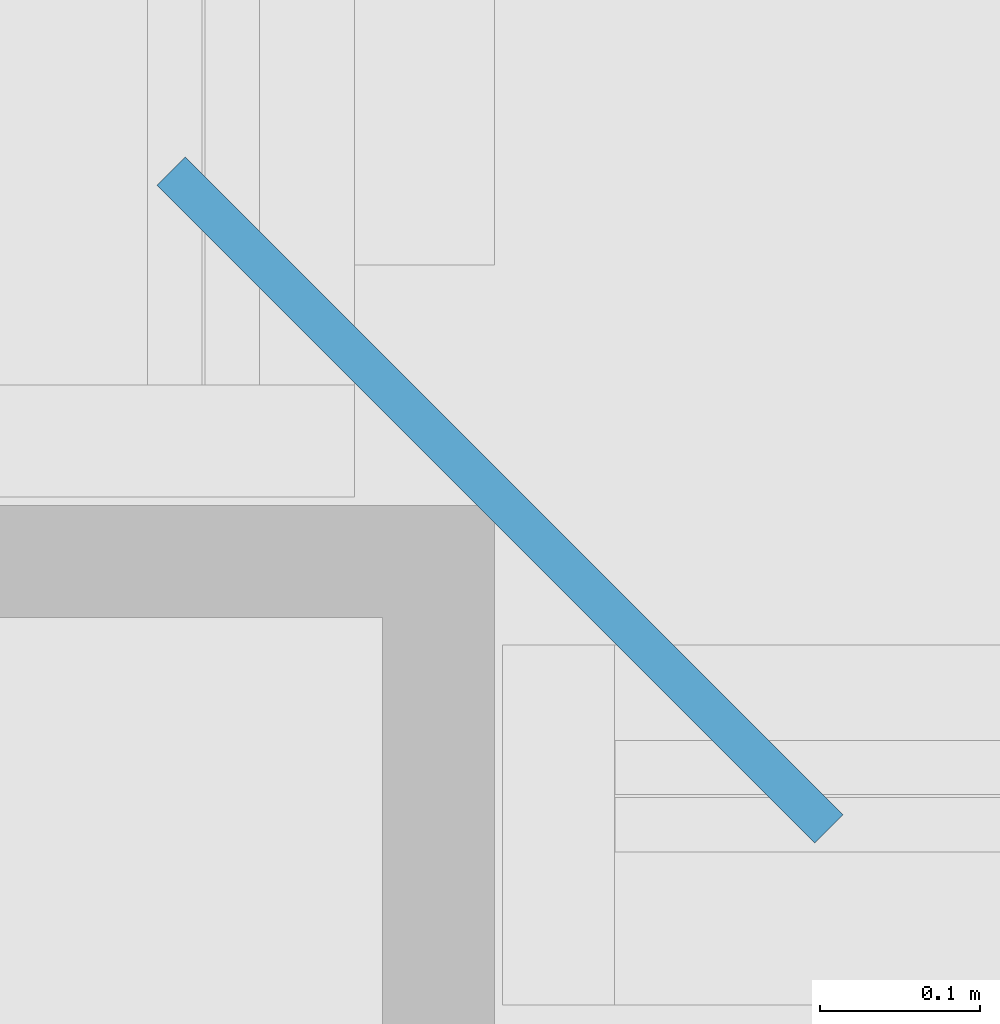
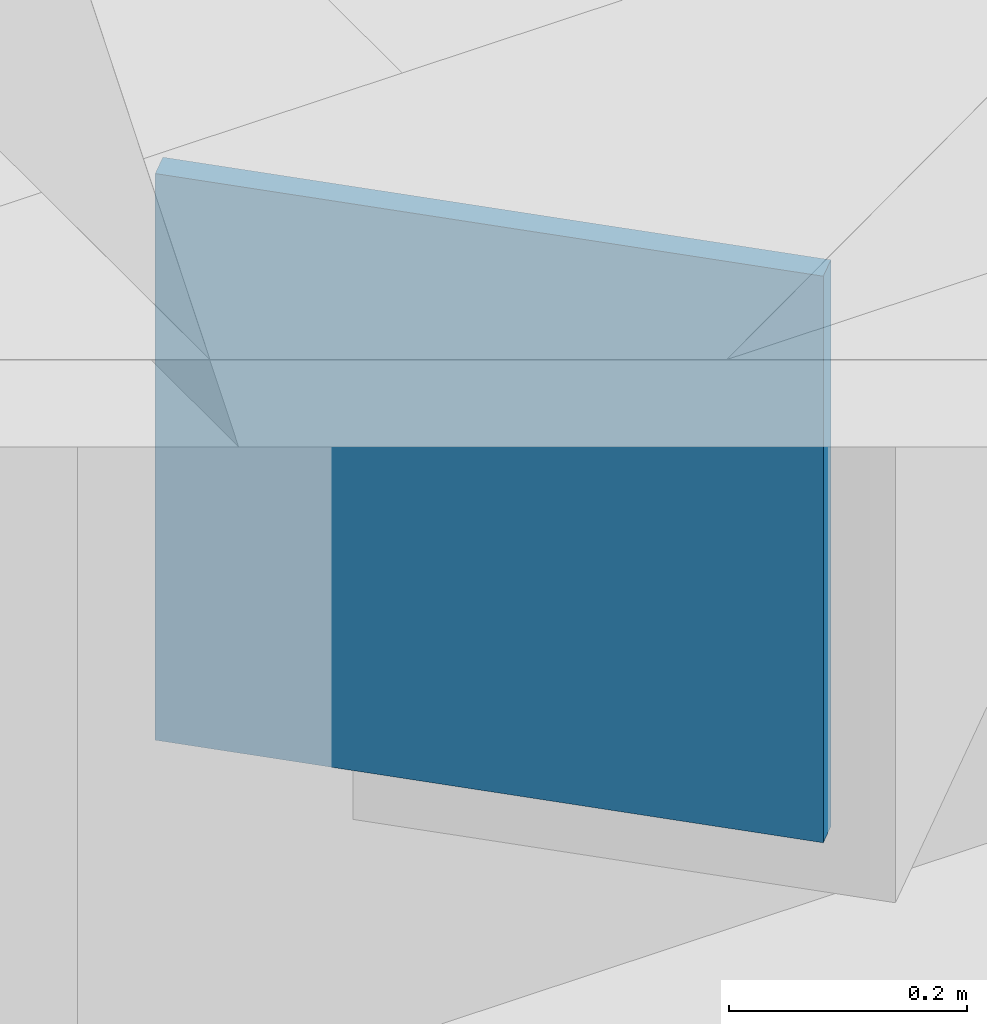
# One storey, part 15 of 26: 1 plate.
"""IFC4 building model written with IfcOpenShell, lengths in metres."""

from ifc_helpers import new_model, si_unit, direction, frame, origin, origin_2d, place, context, subcontext, project, spatial, rectangle, extrude, material, layer, layer_set, type_object, element, save


model = new_model("IFC4")

# Units and contexts
model_context = context("Model", 3, precision=1e-05, world=origin(), true_north=direction((0.0, 1.0)))
body_context = subcontext(model_context, "Body", "Model", "MODEL_VIEW")
ifc_project = project(units=[si_unit("LENGTHUNIT", "METRE"), si_unit("AREAUNIT", "SQUARE_METRE"), si_unit("VOLUMEUNIT", "CUBIC_METRE"), si_unit("PLANEANGLEUNIT", "RADIAN"), si_unit("MASSUNIT", "GRAM", prefix="KILO")], contexts=[model_context])

# Site, building, storey
site_placement = place(None, origin())
site = spatial("IfcSite", under=ifc_project, at=site_placement, CompositionType="ELEMENT")
building_placement = place(site_placement, origin())
building = spatial("IfcBuilding", under=site, at=building_placement, Name="Kopane Lantern Tower", CompositionType="ELEMENT")
storey_placement = place(building_placement, frame((0.0, 0.0, 98.0)))
storey = spatial("IfcBuildingStorey", under=building, at=storey_placement, Name="L24", CompositionType="ELEMENT", Elevation=98.0)

# Plate
ifc_material = material(Name="Steel S355JR", Category="steel")
ifc_layer = layer(ifc_material, 0.02490234375)
ifc_layer_set = layer_set([ifc_layer], Name="STEEL END CAP PLATE PL25")
plate_type = type_object("IfcPlateType", Name="STEEL END CAP PLATE PL25", PredefinedType="USERDEFINED", material=ifc_layer_set)
plate_placement = place(storey_placement, frame((4.4033203125, 9.80322265625, -0.890625), z_axis=(0.0, 0.0, 1.0), x_axis=(-0.707106781187, -0.707106781187, 0.0)))
element("IfcPlate", 1, at=plate_placement, inside=storey, type_object=plate_type, Name="Corner tie beam end cap plate L24", ObjectType="PLATE", PredefinedType="USERDEFINED", context=body_context, shape_type="SweptSolid", body=[
    extrude(rectangle(XDim=0.02490234375, YDim=0.5810546875, at=origin_2d()), origin(), (0.0, 0.0, 1.0), 0.5810546875),
])

save(model, "model.ifc")
